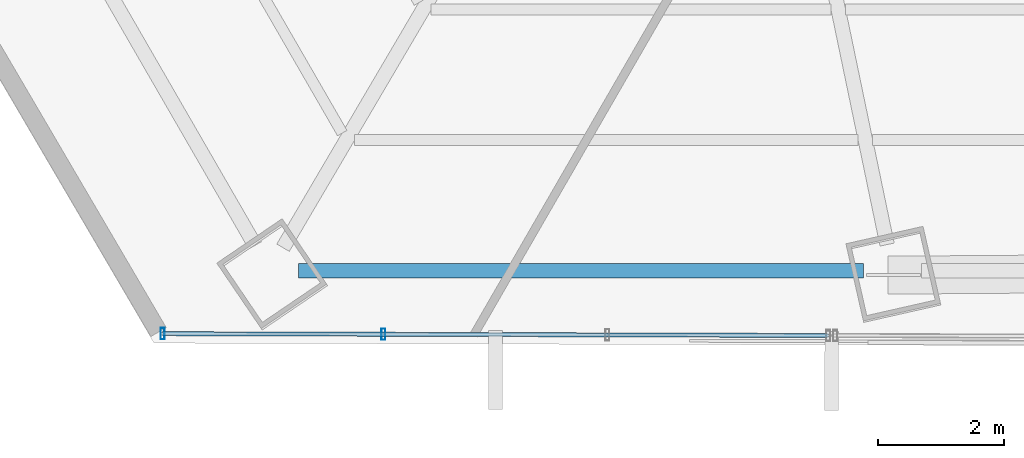
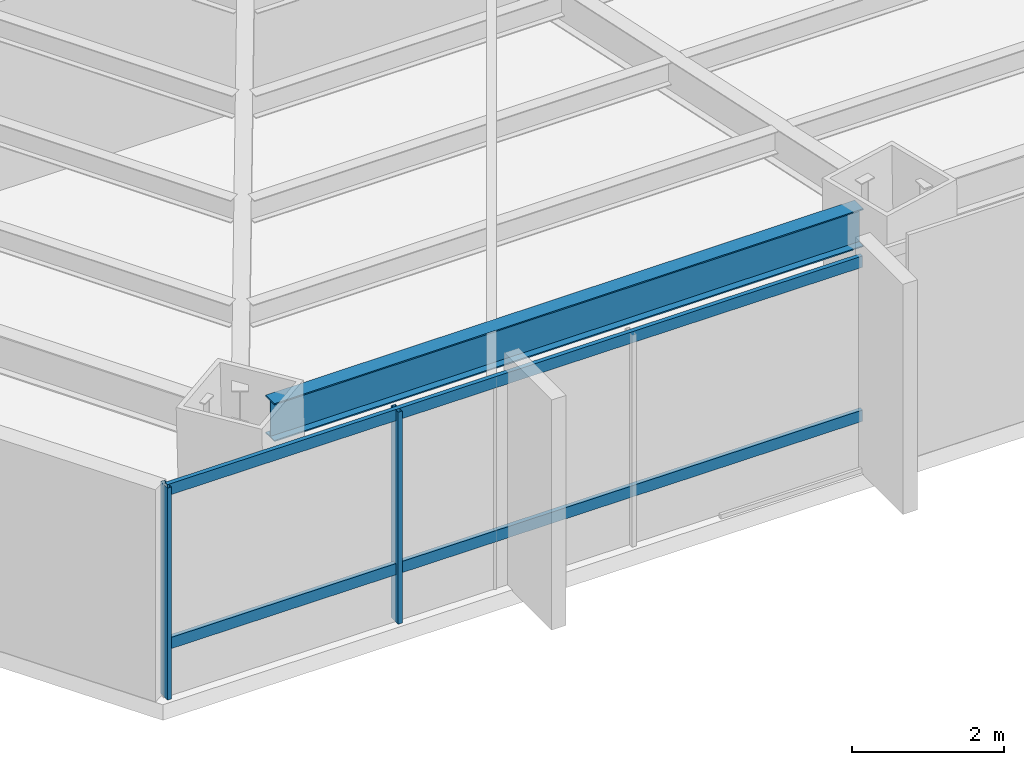
# One storey, part 3 of 33: 4 members, 1 beam, 1 element without a shape of its own.
"""IFC4 building model written with IfcOpenShell, lengths in metres."""

from ifc_helpers import new_model, si_unit, direction, frame, origin, origin_2d, place, context, subcontext, project, spatial, hollow_rectangle, i_section, extrude, source, transform, mapped, material, material_profile, profile_set, type_object, type_shapes, element, aggregate, save


model = new_model("IFC4")

# Units and contexts
model_context = context("Model", 3, precision=1e-05, world=origin(), true_north=direction((0.0, 1.0)))
body_context = subcontext(model_context, "Body", "Model", "MODEL_VIEW")
ifc_project = project(units=[si_unit("LENGTHUNIT", "METRE"), si_unit("AREAUNIT", "SQUARE_METRE"), si_unit("VOLUMEUNIT", "CUBIC_METRE"), si_unit("PLANEANGLEUNIT", "RADIAN"), si_unit("MASSUNIT", "GRAM", prefix="KILO")], contexts=[model_context])

# Site, building, storey
site_placement = place(None, origin())
site = spatial("IfcSite", under=ifc_project, at=site_placement, CompositionType="ELEMENT")
building_placement = place(site_placement, origin())
building = spatial("IfcBuilding", under=site, at=building_placement, Name="Caelisora Broadcast Tower", CompositionType="ELEMENT")
storey_placement = place(building_placement, frame((0.0, 0.0, 34.89990234375)))
storey = spatial("IfcBuildingStorey", under=building, at=storey_placement, Name="L08", CompositionType="ELEMENT", Elevation=34.89990234375)

# Beam
ifc_material_1 = material(Name="Steel Grade 350 (AS/NZS 3679.1)", Category="steel")
ifc_material_profile_1 = material_profile(ifc_material_1, i_section(OverallWidth=0.22900390625, OverallDepth=0.611572265625, WebThickness=0.011962890625, FlangeThickness=0.01953125, at=origin_2d()), Name="Steel Grade 350 (AS/NZS 3679.1)")
ifc_profile_set_1 = profile_set([ifc_material_profile_1], Name="Steel Grade 350 (AS/NZS 3679.1)")
beam_type = type_object("IfcBeamType", Name="PG03", PredefinedType="BEAM", material=ifc_profile_set_1)
shared_shape_1 = source(origin(), body_context, "Body", "SweptSolid", [
    extrude(i_section(OverallWidth=0.22900390625, OverallDepth=0.611572265625, WebThickness=0.011962890625, FlangeThickness=0.01953125, at=origin_2d()), origin(), (0.0, 0.0, 1.0), 8.93310546875),
])
type_shapes(beam_type, [shared_shape_1])
beam_placement = place(storey_placement, frame((23.68017578125, 5.016845703125, 3.09423828125), z_axis=(1.0, 0.0, 0.0), x_axis=(0.0, 1.0, 0.0)))
element("IfcBeam", 1, at=beam_placement, inside=storey, type_object=beam_type, Name="L08 beam PG03", PredefinedType="BEAM", context=body_context, shape_type="MappedRepresentation", body=[
    mapped(shared_shape_1, transform((0.0, 0.0, 0.0), scale=1.0)),
])

# Curtain wall, members
ifc_material_2 = material(Name="Unitised Aluminium and Low-E Glass Curtain Wall", Category="glass")
curtain_wall_type = type_object("IfcCurtainWallType", Name="CW-Z1", PredefinedType="NOTDEFINED", material=ifc_material_2)
curtain_wall_placement = place(storey_placement, origin())
curtain_wall = element("IfcCurtainWall", 2, at=curtain_wall_placement, inside=storey, type_object=curtain_wall_type, Name="L08 curtain wall CW-Z1", PredefinedType="NOTDEFINED")
ifc_material_3 = material(Name="Aluminium 6063-T6 Anodised Terracotta Bronze", Category="aluminium")
ifc_material_profile_2 = material_profile(ifc_material_3, hollow_rectangle(XDim=0.06494140625, YDim=0.179931640625, WallThickness=0.00341796875, at=origin_2d()), Name="Aluminium 6063-T6 Anodised Terracotta Bronze")
ifc_profile_set_2 = profile_set([ifc_material_profile_2], Name="Aluminium 6063-T6 Anodised Terracotta Bronze")
member_type_1 = type_object("IfcMemberType", Name="CWM-02", PredefinedType="MULLION", material=ifc_profile_set_2)
shared_shape_2 = source(origin(), body_context, "Body", "SweptSolid", [
    extrude(hollow_rectangle(XDim=0.06494140625, YDim=0.179931640625, WallThickness=0.00341796875, at=origin_2d()), origin(), (0.0, 0.0, 1.0), 3.400146484375),
])
type_shapes(member_type_1, [shared_shape_2])
member_1_placement = place(storey_placement, frame((25.02099609375, 4.00927734375, 0.0), z_axis=(0.0, 0.0, 1.0), x_axis=(1.0, 0.0, 0.0)))
member_1 = element("IfcMember", 3, at=member_1_placement, type_object=member_type_1, Name="L08-CW-B07 mullion #2", PredefinedType="MULLION", context=body_context, shape_type="MappedRepresentation", body=[
    mapped(shared_shape_2, transform((0.0, 0.0, 0.0), scale=1.0)),
])
member_2_placement = place(storey_placement, frame((21.528076171875, 4.018798828125, 0.0), z_axis=(0.0, 0.0, 1.0), x_axis=(1.0, 0.0, 0.0)))
member_2 = element("IfcMember", 4, at=member_2_placement, type_object=member_type_1, Name="L08-CW-B07 mullion #3", PredefinedType="MULLION", context=body_context, shape_type="MappedRepresentation", body=[
    mapped(shared_shape_2, transform((0.0, 0.0, 0.0), scale=1.0)),
])
ifc_material_profile_3 = material_profile(ifc_material_3, hollow_rectangle(XDim=0.06494140625, YDim=0.179931640625, WallThickness=0.00341796875, at=origin_2d()), Name="Aluminium 6063-T6 Anodised Terracotta Bronze")
ifc_profile_set_3 = profile_set([ifc_material_profile_3], Name="Aluminium 6063-T6 Anodised Terracotta Bronze")
member_type_2 = type_object("IfcMemberType", Name="CWT-01", PredefinedType="USERDEFINED", material=ifc_profile_set_3)
shared_shape_3 = source(origin(), body_context, "Body", "SweptSolid", [
    extrude(hollow_rectangle(XDim=0.06494140625, YDim=0.179931640625, WallThickness=0.00341796875, at=origin_2d()), origin(), (0.0, 0.0, 1.0), 10.529052734375),
])
type_shapes(member_type_2, [shared_shape_3])
member_3_placement = place(storey_placement, frame((32.05712890625, 3.98974609375, 0.85009765625), z_axis=(-0.999996193175, 0.002759281819, 0.0), x_axis=(-0.002759281819, -0.999996193175, 0.0)))
member_3 = element("IfcMember", 5, at=member_3_placement, type_object=member_type_2, Name="L08-CW-B07 transom #1", ObjectType="TRANSOM", PredefinedType="USERDEFINED", context=body_context, shape_type="MappedRepresentation", body=[
    mapped(shared_shape_3, transform((0.0, 0.0, 0.0), scale=1.0)),
])
member_4_placement = place(storey_placement, frame((32.05712890625, 3.98974609375, 3.320068359375), z_axis=(-0.999996193175, 0.002759281819, 0.0), x_axis=(-0.002759281819, -0.999996193175, 0.0)))
member_4 = element("IfcMember", 6, at=member_4_placement, type_object=member_type_2, Name="L08-CW-B07 transom #2", ObjectType="TRANSOM", PredefinedType="USERDEFINED", context=body_context, shape_type="MappedRepresentation", body=[
    mapped(shared_shape_3, transform((0.0, 0.0, 0.0), scale=1.0)),
])
aggregate(curtain_wall, [member_1, member_2, member_3, member_4])

save(model, "model.ifc")
